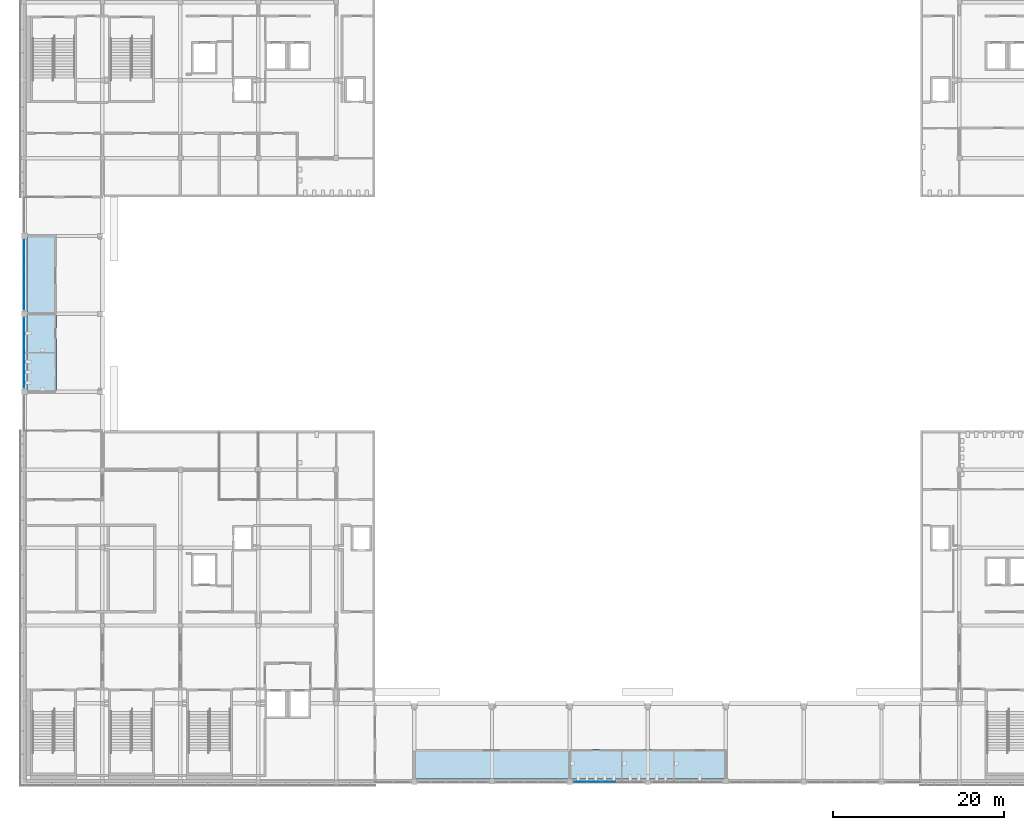
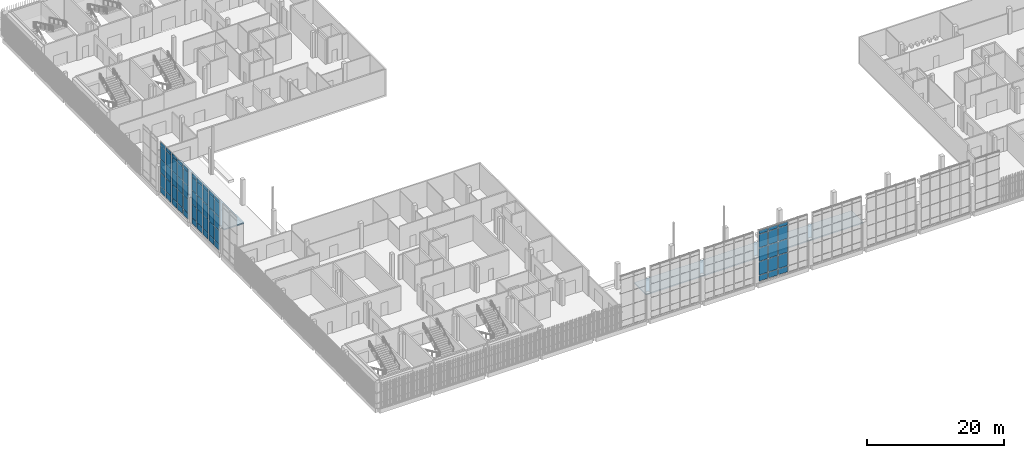
# One storey, part 31 of 91: 65 plates, 2 slabs, 3 elements without a shape of their own.
"""IFC4 building model written with IfcOpenShell, lengths in metres."""

from ifc_helpers import new_model, si_unit, direction, frame, origin, origin_2d, place, context, subcontext, project, spatial, polyline, rectangle, outline, extrude, material, layer, layer_set, type_object, element, aggregate, save


model = new_model("IFC4")

# Units and contexts
model_context = context("Model", 3, precision=1e-05, world=origin(), true_north=direction((0.0, 1.0)))
body_context = subcontext(model_context, "Body", "Model", "MODEL_VIEW")
ifc_project = project(units=[si_unit("LENGTHUNIT", "METRE"), si_unit("AREAUNIT", "SQUARE_METRE"), si_unit("VOLUMEUNIT", "CUBIC_METRE"), si_unit("PLANEANGLEUNIT", "RADIAN"), si_unit("MASSUNIT", "GRAM", prefix="KILO")], contexts=[model_context])

# Site, building, storey
site_placement = place(None, origin())
site = spatial("IfcSite", under=ifc_project, at=site_placement, CompositionType="ELEMENT")
building_placement = place(site_placement, origin())
building = spatial("IfcBuilding", under=site, at=building_placement, Name="Shirokan Park Arena", CompositionType="ELEMENT")
storey_placement = place(building_placement, frame((0.0, 0.0, 24.570068359375)))
storey = spatial("IfcBuildingStorey", under=building, at=storey_placement, Name="L05", CompositionType="ELEMENT", Elevation=24.570068359375)

# Curtain wall, plates
ifc_material_1 = material(Name="Steel and glass curtain wall", Category="steel")
ifc_layer_1 = layer(ifc_material_1, 0.199951171875)
ifc_layer_set_1 = layer_set([ifc_layer_1], Name="Steel and glass curtain wall 200 mm")
curtain_wall_type = type_object("IfcCurtainWallType", Name="Curtain wall hall bay 200", PredefinedType="NOTDEFINED", material=ifc_layer_set_1)
curtain_wall_1_placement = place(storey_placement, origin())
curtain_wall_1 = element("IfcCurtainWall", 1, at=curtain_wall_1_placement, inside=storey, type_object=curtain_wall_type, Name="Curtain wall south bay 8 L05", PredefinedType="NOTDEFINED")
ifc_material_2 = material(Name="Toughened glass", Category="glass")
ifc_layer_2 = layer(ifc_material_2, 0.012939453125, Name="Toughened glass")
ifc_material_3 = material(Name="Interlayer film")
ifc_layer_3 = layer(ifc_material_3, 0.001953125, Name="Interlayer film")
ifc_layer_4 = layer(ifc_material_2, 0.012939453125, Name="Toughened glass")
ifc_layer_set_2 = layer_set([ifc_layer_2, ifc_layer_3, ifc_layer_4], Name="Toughened glass + Interlayer film")
plate_type_1 = type_object("IfcPlateType", Name="Laminated glass panel 28", PredefinedType="CURTAIN_PANEL", material=ifc_layer_set_2)
plate_1_placement = place(storey_placement, frame((64.919921875, -0.050048828125, 1.1201171875), z_axis=(0.0, 0.0, 1.0), x_axis=(1.0, 0.0, 0.0)))
plate_1 = element("IfcPlate", 2, at=plate_1_placement, type_object=plate_type_1, Name="CW5 panel 1.2", PredefinedType="CURTAIN_PANEL", context=body_context, shape_type="SweptSolid", body=[
    extrude(rectangle(XDim=1.389892578125, YDim=0.028076171875, at=origin_2d()), origin(), (0.0, 0.0, 1.0), 2.393310546875),
])
plate_2_placement = place(storey_placement, frame((64.919921875, -0.050048828125, 3.55322265625), z_axis=(0.0, 0.0, 1.0), x_axis=(1.0, 0.0, 0.0)))
plate_2 = element("IfcPlate", 3, at=plate_2_placement, type_object=plate_type_1, Name="CW5 panel 1.3", PredefinedType="CURTAIN_PANEL", context=body_context, shape_type="SweptSolid", body=[
    extrude(rectangle(XDim=1.389892578125, YDim=0.028076171875, at=origin_2d()), origin(), (0.0, 0.0, 1.0), 2.393310546875),
])
plate_3_placement = place(storey_placement, frame((64.919921875, -0.050048828125, 5.98681640625), z_axis=(0.0, 0.0, 1.0), x_axis=(1.0, 0.0, 0.0)))
plate_3 = element("IfcPlate", 4, at=plate_3_placement, type_object=plate_type_1, Name="CW5 panel 1.4", PredefinedType="CURTAIN_PANEL", context=body_context, shape_type="SweptSolid", body=[
    extrude(rectangle(XDim=1.389892578125, YDim=0.028076171875, at=origin_2d()), origin(), (0.0, 0.0, 1.0), 2.393310546875),
])
plate_4_placement = place(storey_placement, frame((64.919921875, -0.050048828125, 8.419921875), z_axis=(0.0, 0.0, 1.0), x_axis=(1.0, 0.0, 0.0)))
plate_4 = element("IfcPlate", 5, at=plate_4_placement, type_object=plate_type_1, Name="CW5 panel 1.5", PredefinedType="CURTAIN_PANEL", context=body_context, shape_type="SweptSolid", body=[
    extrude(rectangle(XDim=1.389892578125, YDim=0.028076171875, at=origin_2d()), origin(), (0.0, 0.0, 1.0), 0.590087890625),
])
plate_5_placement = place(storey_placement, frame((66.56005859375, -0.050048828125, 1.1201171875), z_axis=(0.0, 0.0, 1.0), x_axis=(1.0, 0.0, 0.0)))
plate_5 = element("IfcPlate", 6, at=plate_5_placement, type_object=plate_type_1, Name="CW5 panel 2.2", PredefinedType="CURTAIN_PANEL", context=body_context, shape_type="SweptSolid", body=[
    extrude(rectangle(XDim=1.489990234375, YDim=0.028076171875, at=origin_2d()), origin(), (0.0, 0.0, 1.0), 2.393310546875),
])
plate_6_placement = place(storey_placement, frame((66.56005859375, -0.050048828125, 3.55322265625), z_axis=(0.0, 0.0, 1.0), x_axis=(1.0, 0.0, 0.0)))
plate_6 = element("IfcPlate", 7, at=plate_6_placement, type_object=plate_type_1, Name="CW5 panel 2.3", PredefinedType="CURTAIN_PANEL", context=body_context, shape_type="SweptSolid", body=[
    extrude(rectangle(XDim=1.489990234375, YDim=0.028076171875, at=origin_2d()), origin(), (0.0, 0.0, 1.0), 2.393310546875),
])
plate_7_placement = place(storey_placement, frame((66.56005859375, -0.050048828125, 5.98681640625), z_axis=(0.0, 0.0, 1.0), x_axis=(1.0, 0.0, 0.0)))
plate_7 = element("IfcPlate", 8, at=plate_7_placement, type_object=plate_type_1, Name="CW5 panel 2.4", PredefinedType="CURTAIN_PANEL", context=body_context, shape_type="SweptSolid", body=[
    extrude(rectangle(XDim=1.489990234375, YDim=0.028076171875, at=origin_2d()), origin(), (0.0, 0.0, 1.0), 2.393310546875),
])
plate_8_placement = place(storey_placement, frame((66.56005859375, -0.050048828125, 8.419921875), z_axis=(0.0, 0.0, 1.0), x_axis=(1.0, 0.0, 0.0)))
plate_8 = element("IfcPlate", 9, at=plate_8_placement, type_object=plate_type_1, Name="CW5 panel 2.5", PredefinedType="CURTAIN_PANEL", context=body_context, shape_type="SweptSolid", body=[
    extrude(rectangle(XDim=1.489990234375, YDim=0.028076171875, at=origin_2d()), origin(), (0.0, 0.0, 1.0), 0.590087890625),
])
plate_9_placement = place(storey_placement, frame((68.25, -0.050048828125, 1.1201171875), z_axis=(0.0, 0.0, 1.0), x_axis=(1.0, 0.0, 0.0)))
plate_9 = element("IfcPlate", 10, at=plate_9_placement, type_object=plate_type_1, Name="CW5 panel 3.2", PredefinedType="CURTAIN_PANEL", context=body_context, shape_type="SweptSolid", body=[
    extrude(rectangle(XDim=1.489990234375, YDim=0.028076171875, at=origin_2d()), origin(), (0.0, 0.0, 1.0), 2.393310546875),
])
plate_10_placement = place(storey_placement, frame((68.25, -0.050048828125, 3.55322265625), z_axis=(0.0, 0.0, 1.0), x_axis=(1.0, 0.0, 0.0)))
plate_10 = element("IfcPlate", 11, at=plate_10_placement, type_object=plate_type_1, Name="CW5 panel 3.3", PredefinedType="CURTAIN_PANEL", context=body_context, shape_type="SweptSolid", body=[
    extrude(rectangle(XDim=1.489990234375, YDim=0.028076171875, at=origin_2d()), origin(), (0.0, 0.0, 1.0), 2.393310546875),
])
plate_11_placement = place(storey_placement, frame((68.25, -0.050048828125, 5.98681640625), z_axis=(0.0, 0.0, 1.0), x_axis=(1.0, 0.0, 0.0)))
plate_11 = element("IfcPlate", 12, at=plate_11_placement, type_object=plate_type_1, Name="CW5 panel 3.4", PredefinedType="CURTAIN_PANEL", context=body_context, shape_type="SweptSolid", body=[
    extrude(rectangle(XDim=1.489990234375, YDim=0.028076171875, at=origin_2d()), origin(), (0.0, 0.0, 1.0), 2.393310546875),
])
plate_12_placement = place(storey_placement, frame((68.25, -0.050048828125, 8.419921875), z_axis=(0.0, 0.0, 1.0), x_axis=(1.0, 0.0, 0.0)))
plate_12 = element("IfcPlate", 13, at=plate_12_placement, type_object=plate_type_1, Name="CW5 panel 3.5", PredefinedType="CURTAIN_PANEL", context=body_context, shape_type="SweptSolid", body=[
    extrude(rectangle(XDim=1.489990234375, YDim=0.028076171875, at=origin_2d()), origin(), (0.0, 0.0, 1.0), 0.590087890625),
])

curtain_wall_2_placement = place(storey_placement, origin())
curtain_wall_2 = element("IfcCurtainWall", 14, at=curtain_wall_2_placement, inside=storey, type_object=curtain_wall_type, Name="Curtain wall west bay 6 L05", PredefinedType="NOTDEFINED")
plate_13_placement = place(storey_placement, frame((-0.050048828125, 62.47998046875, 1.1201171875), z_axis=(0.0, 0.0, 1.0), x_axis=(0.0, -1.0, 0.0)))
plate_13 = element("IfcPlate", 15, at=plate_13_placement, type_object=plate_type_1, Name="CW5 panel 1.2", PredefinedType="CURTAIN_PANEL", context=body_context, shape_type="SweptSolid", body=[
    extrude(rectangle(XDim=1.389892578125, YDim=0.028076171875, at=origin_2d()), origin(), (0.0, 0.0, 1.0), 2.393310546875),
])
plate_14_placement = place(storey_placement, frame((-0.050048828125, 62.47998046875, 3.55322265625), z_axis=(0.0, 0.0, 1.0), x_axis=(0.0, -1.0, 0.0)))
plate_14 = element("IfcPlate", 16, at=plate_14_placement, type_object=plate_type_1, Name="CW5 panel 1.3", PredefinedType="CURTAIN_PANEL", context=body_context, shape_type="SweptSolid", body=[
    extrude(rectangle(XDim=1.389892578125, YDim=0.028076171875, at=origin_2d()), origin(), (0.0, 0.0, 1.0), 2.393310546875),
])
plate_15_placement = place(storey_placement, frame((-0.050048828125, 62.47998046875, 5.98681640625), z_axis=(0.0, 0.0, 1.0), x_axis=(0.0, -1.0, 0.0)))
plate_15 = element("IfcPlate", 17, at=plate_15_placement, type_object=plate_type_1, Name="CW5 panel 1.4", PredefinedType="CURTAIN_PANEL", context=body_context, shape_type="SweptSolid", body=[
    extrude(rectangle(XDim=1.389892578125, YDim=0.028076171875, at=origin_2d()), origin(), (0.0, 0.0, 1.0), 2.393310546875),
])
plate_16_placement = place(storey_placement, frame((-0.050048828125, 62.47998046875, 8.419921875), z_axis=(0.0, 0.0, 1.0), x_axis=(0.0, -1.0, 0.0)))
plate_16 = element("IfcPlate", 18, at=plate_16_placement, type_object=plate_type_1, Name="CW5 panel 1.5", PredefinedType="CURTAIN_PANEL", context=body_context, shape_type="SweptSolid", body=[
    extrude(rectangle(XDim=1.389892578125, YDim=0.028076171875, at=origin_2d()), origin(), (0.0, 0.0, 1.0), 0.590087890625),
])
plate_17_placement = place(storey_placement, frame((-0.050048828125, 60.840087890625, 1.1201171875), z_axis=(0.0, 0.0, 1.0), x_axis=(0.0, -1.0, 0.0)))
plate_17 = element("IfcPlate", 19, at=plate_17_placement, type_object=plate_type_1, Name="CW5 panel 2.2", PredefinedType="CURTAIN_PANEL", context=body_context, shape_type="SweptSolid", body=[
    extrude(rectangle(XDim=1.489990234375, YDim=0.028076171875, at=origin_2d()), origin(), (0.0, 0.0, 1.0), 2.393310546875),
])
plate_18_placement = place(storey_placement, frame((-0.050048828125, 60.840087890625, 3.55322265625), z_axis=(0.0, 0.0, 1.0), x_axis=(0.0, -1.0, 0.0)))
plate_18 = element("IfcPlate", 20, at=plate_18_placement, type_object=plate_type_1, Name="CW5 panel 2.3", PredefinedType="CURTAIN_PANEL", context=body_context, shape_type="SweptSolid", body=[
    extrude(rectangle(XDim=1.489990234375, YDim=0.028076171875, at=origin_2d()), origin(), (0.0, 0.0, 1.0), 2.393310546875),
])
plate_19_placement = place(storey_placement, frame((-0.050048828125, 60.840087890625, 5.98681640625), z_axis=(0.0, 0.0, 1.0), x_axis=(0.0, -1.0, 0.0)))
plate_19 = element("IfcPlate", 21, at=plate_19_placement, type_object=plate_type_1, Name="CW5 panel 2.4", PredefinedType="CURTAIN_PANEL", context=body_context, shape_type="SweptSolid", body=[
    extrude(rectangle(XDim=1.489990234375, YDim=0.028076171875, at=origin_2d()), origin(), (0.0, 0.0, 1.0), 2.393310546875),
])
plate_20_placement = place(storey_placement, frame((-0.050048828125, 60.840087890625, 8.419921875), z_axis=(0.0, 0.0, 1.0), x_axis=(0.0, -1.0, 0.0)))
plate_20 = element("IfcPlate", 22, at=plate_20_placement, type_object=plate_type_1, Name="CW5 panel 2.5", PredefinedType="CURTAIN_PANEL", context=body_context, shape_type="SweptSolid", body=[
    extrude(rectangle(XDim=1.489990234375, YDim=0.028076171875, at=origin_2d()), origin(), (0.0, 0.0, 1.0), 0.590087890625),
])
plate_21_placement = place(storey_placement, frame((-0.050048828125, 59.14990234375, 1.1201171875), z_axis=(0.0, 0.0, 1.0), x_axis=(0.0, -1.0, 0.0)))
plate_21 = element("IfcPlate", 23, at=plate_21_placement, type_object=plate_type_1, Name="CW5 panel 3.2", PredefinedType="CURTAIN_PANEL", context=body_context, shape_type="SweptSolid", body=[
    extrude(rectangle(XDim=1.489990234375, YDim=0.028076171875, at=origin_2d()), origin(), (0.0, 0.0, 1.0), 2.393310546875),
])
plate_22_placement = place(storey_placement, frame((-0.050048828125, 59.14990234375, 3.55322265625), z_axis=(0.0, 0.0, 1.0), x_axis=(0.0, -1.0, 0.0)))
plate_22 = element("IfcPlate", 24, at=plate_22_placement, type_object=plate_type_1, Name="CW5 panel 3.3", PredefinedType="CURTAIN_PANEL", context=body_context, shape_type="SweptSolid", body=[
    extrude(rectangle(XDim=1.489990234375, YDim=0.028076171875, at=origin_2d()), origin(), (0.0, 0.0, 1.0), 2.393310546875),
])
plate_23_placement = place(storey_placement, frame((-0.050048828125, 59.14990234375, 5.98681640625), z_axis=(0.0, 0.0, 1.0), x_axis=(0.0, -1.0, 0.0)))
plate_23 = element("IfcPlate", 25, at=plate_23_placement, type_object=plate_type_1, Name="CW5 panel 3.4", PredefinedType="CURTAIN_PANEL", context=body_context, shape_type="SweptSolid", body=[
    extrude(rectangle(XDim=1.489990234375, YDim=0.028076171875, at=origin_2d()), origin(), (0.0, 0.0, 1.0), 2.393310546875),
])
plate_24_placement = place(storey_placement, frame((-0.050048828125, 59.14990234375, 8.419921875), z_axis=(0.0, 0.0, 1.0), x_axis=(0.0, -1.0, 0.0)))
plate_24 = element("IfcPlate", 26, at=plate_24_placement, type_object=plate_type_1, Name="CW5 panel 3.5", PredefinedType="CURTAIN_PANEL", context=body_context, shape_type="SweptSolid", body=[
    extrude(rectangle(XDim=1.489990234375, YDim=0.028076171875, at=origin_2d()), origin(), (0.0, 0.0, 1.0), 0.590087890625),
])
plate_25_placement = place(storey_placement, frame((-0.050048828125, 57.4599609375, 1.1201171875), z_axis=(0.0, 0.0, 1.0), x_axis=(0.0, -1.0, 0.0)))
plate_25 = element("IfcPlate", 27, at=plate_25_placement, type_object=plate_type_1, Name="CW5 panel 4.2", PredefinedType="CURTAIN_PANEL", context=body_context, shape_type="SweptSolid", body=[
    extrude(rectangle(XDim=1.489990234375, YDim=0.028076171875, at=origin_2d()), origin(), (0.0, 0.0, 1.0), 2.393310546875),
])
plate_26_placement = place(storey_placement, frame((-0.050048828125, 57.4599609375, 3.55322265625), z_axis=(0.0, 0.0, 1.0), x_axis=(0.0, -1.0, 0.0)))
plate_26 = element("IfcPlate", 28, at=plate_26_placement, type_object=plate_type_1, Name="CW5 panel 4.3", PredefinedType="CURTAIN_PANEL", context=body_context, shape_type="SweptSolid", body=[
    extrude(rectangle(XDim=1.489990234375, YDim=0.028076171875, at=origin_2d()), origin(), (0.0, 0.0, 1.0), 2.393310546875),
])
plate_27_placement = place(storey_placement, frame((-0.050048828125, 57.4599609375, 5.98681640625), z_axis=(0.0, 0.0, 1.0), x_axis=(0.0, -1.0, 0.0)))
plate_27 = element("IfcPlate", 29, at=plate_27_placement, type_object=plate_type_1, Name="CW5 panel 4.4", PredefinedType="CURTAIN_PANEL", context=body_context, shape_type="SweptSolid", body=[
    extrude(rectangle(XDim=1.489990234375, YDim=0.028076171875, at=origin_2d()), origin(), (0.0, 0.0, 1.0), 2.393310546875),
])
plate_28_placement = place(storey_placement, frame((-0.050048828125, 57.4599609375, 8.419921875), z_axis=(0.0, 0.0, 1.0), x_axis=(0.0, -1.0, 0.0)))
plate_28 = element("IfcPlate", 30, at=plate_28_placement, type_object=plate_type_1, Name="CW5 panel 4.5", PredefinedType="CURTAIN_PANEL", context=body_context, shape_type="SweptSolid", body=[
    extrude(rectangle(XDim=1.489990234375, YDim=0.028076171875, at=origin_2d()), origin(), (0.0, 0.0, 1.0), 0.590087890625),
])
plate_29_placement = place(storey_placement, frame((-0.050048828125, 55.820068359375, 1.1201171875), z_axis=(0.0, 0.0, 1.0), x_axis=(0.0, -1.0, 0.0)))
plate_29 = element("IfcPlate", 31, at=plate_29_placement, type_object=plate_type_1, Name="CW5 panel 5.2", PredefinedType="CURTAIN_PANEL", context=body_context, shape_type="SweptSolid", body=[
    extrude(rectangle(XDim=1.389892578125, YDim=0.028076171875, at=origin_2d()), origin(), (0.0, 0.0, 1.0), 2.393310546875),
])
plate_30_placement = place(storey_placement, frame((-0.050048828125, 55.820068359375, 3.55322265625), z_axis=(0.0, 0.0, 1.0), x_axis=(0.0, -1.0, 0.0)))
plate_30 = element("IfcPlate", 32, at=plate_30_placement, type_object=plate_type_1, Name="CW5 panel 5.3", PredefinedType="CURTAIN_PANEL", context=body_context, shape_type="SweptSolid", body=[
    extrude(rectangle(XDim=1.389892578125, YDim=0.028076171875, at=origin_2d()), origin(), (0.0, 0.0, 1.0), 2.393310546875),
])
plate_31_placement = place(storey_placement, frame((-0.050048828125, 55.820068359375, 5.98681640625), z_axis=(0.0, 0.0, 1.0), x_axis=(0.0, -1.0, 0.0)))
plate_31 = element("IfcPlate", 33, at=plate_31_placement, type_object=plate_type_1, Name="CW5 panel 5.4", PredefinedType="CURTAIN_PANEL", context=body_context, shape_type="SweptSolid", body=[
    extrude(rectangle(XDim=1.389892578125, YDim=0.028076171875, at=origin_2d()), origin(), (0.0, 0.0, 1.0), 2.393310546875),
])
plate_32_placement = place(storey_placement, frame((-0.050048828125, 55.820068359375, 8.419921875), z_axis=(0.0, 0.0, 1.0), x_axis=(0.0, -1.0, 0.0)))
plate_32 = element("IfcPlate", 34, at=plate_32_placement, type_object=plate_type_1, Name="CW5 panel 5.5", PredefinedType="CURTAIN_PANEL", context=body_context, shape_type="SweptSolid", body=[
    extrude(rectangle(XDim=1.389892578125, YDim=0.028076171875, at=origin_2d()), origin(), (0.0, 0.0, 1.0), 0.590087890625),
])

curtain_wall_3_placement = place(storey_placement, origin())
curtain_wall_3 = element("IfcCurtainWall", 35, at=curtain_wall_3_placement, inside=storey, type_object=curtain_wall_type, Name="Curtain wall west bay 7 L05", PredefinedType="NOTDEFINED")
plate_33_placement = place(storey_placement, frame((-0.050048828125, 53.3798828125, 1.1201171875), z_axis=(0.0, 0.0, 1.0), x_axis=(0.0, -1.0, 0.0)))
plate_33 = element("IfcPlate", 36, at=plate_33_placement, type_object=plate_type_1, Name="CW5 panel 1.2", PredefinedType="CURTAIN_PANEL", context=body_context, shape_type="SweptSolid", body=[
    extrude(rectangle(XDim=1.389892578125, YDim=0.028076171875, at=origin_2d()), origin(), (0.0, 0.0, 1.0), 2.393310546875),
])
plate_34_placement = place(storey_placement, frame((-0.050048828125, 53.3798828125, 3.55322265625), z_axis=(0.0, 0.0, 1.0), x_axis=(0.0, -1.0, 0.0)))
plate_34 = element("IfcPlate", 37, at=plate_34_placement, type_object=plate_type_1, Name="CW5 panel 1.3", PredefinedType="CURTAIN_PANEL", context=body_context, shape_type="SweptSolid", body=[
    extrude(rectangle(XDim=1.389892578125, YDim=0.028076171875, at=origin_2d()), origin(), (0.0, 0.0, 1.0), 2.393310546875),
])
plate_35_placement = place(storey_placement, frame((-0.050048828125, 53.3798828125, 5.98681640625), z_axis=(0.0, 0.0, 1.0), x_axis=(0.0, -1.0, 0.0)))
plate_35 = element("IfcPlate", 38, at=plate_35_placement, type_object=plate_type_1, Name="CW5 panel 1.4", PredefinedType="CURTAIN_PANEL", context=body_context, shape_type="SweptSolid", body=[
    extrude(rectangle(XDim=1.389892578125, YDim=0.028076171875, at=origin_2d()), origin(), (0.0, 0.0, 1.0), 2.393310546875),
])
plate_36_placement = place(storey_placement, frame((-0.050048828125, 53.3798828125, 8.419921875), z_axis=(0.0, 0.0, 1.0), x_axis=(0.0, -1.0, 0.0)))
plate_36 = element("IfcPlate", 39, at=plate_36_placement, type_object=plate_type_1, Name="CW5 panel 1.5", PredefinedType="CURTAIN_PANEL", context=body_context, shape_type="SweptSolid", body=[
    extrude(rectangle(XDim=1.389892578125, YDim=0.028076171875, at=origin_2d()), origin(), (0.0, 0.0, 1.0), 0.590087890625),
])
plate_37_placement = place(storey_placement, frame((-0.050048828125, 51.739990234375, 1.1201171875), z_axis=(0.0, 0.0, 1.0), x_axis=(0.0, -1.0, 0.0)))
plate_37 = element("IfcPlate", 40, at=plate_37_placement, type_object=plate_type_1, Name="CW5 panel 2.2", PredefinedType="CURTAIN_PANEL", context=body_context, shape_type="SweptSolid", body=[
    extrude(rectangle(XDim=1.489990234375, YDim=0.028076171875, at=origin_2d()), origin(), (0.0, 0.0, 1.0), 2.393310546875),
])
plate_38_placement = place(storey_placement, frame((-0.050048828125, 51.739990234375, 3.55322265625), z_axis=(0.0, 0.0, 1.0), x_axis=(0.0, -1.0, 0.0)))
plate_38 = element("IfcPlate", 41, at=plate_38_placement, type_object=plate_type_1, Name="CW5 panel 2.3", PredefinedType="CURTAIN_PANEL", context=body_context, shape_type="SweptSolid", body=[
    extrude(rectangle(XDim=1.489990234375, YDim=0.028076171875, at=origin_2d()), origin(), (0.0, 0.0, 1.0), 2.393310546875),
])
plate_39_placement = place(storey_placement, frame((-0.050048828125, 51.739990234375, 5.98681640625), z_axis=(0.0, 0.0, 1.0), x_axis=(0.0, -1.0, 0.0)))
plate_39 = element("IfcPlate", 42, at=plate_39_placement, type_object=plate_type_1, Name="CW5 panel 2.4", PredefinedType="CURTAIN_PANEL", context=body_context, shape_type="SweptSolid", body=[
    extrude(rectangle(XDim=1.489990234375, YDim=0.028076171875, at=origin_2d()), origin(), (0.0, 0.0, 1.0), 2.393310546875),
])
plate_40_placement = place(storey_placement, frame((-0.050048828125, 51.739990234375, 8.419921875), z_axis=(0.0, 0.0, 1.0), x_axis=(0.0, -1.0, 0.0)))
plate_40 = element("IfcPlate", 43, at=plate_40_placement, type_object=plate_type_1, Name="CW5 panel 2.5", PredefinedType="CURTAIN_PANEL", context=body_context, shape_type="SweptSolid", body=[
    extrude(rectangle(XDim=1.489990234375, YDim=0.028076171875, at=origin_2d()), origin(), (0.0, 0.0, 1.0), 0.590087890625),
])
plate_41_placement = place(storey_placement, frame((-0.050048828125, 50.050048828125, 1.1201171875), z_axis=(0.0, 0.0, 1.0), x_axis=(0.0, -1.0, 0.0)))
plate_41 = element("IfcPlate", 44, at=plate_41_placement, type_object=plate_type_1, Name="CW5 panel 3.2", PredefinedType="CURTAIN_PANEL", context=body_context, shape_type="SweptSolid", body=[
    extrude(rectangle(XDim=1.489990234375, YDim=0.028076171875, at=origin_2d()), origin(), (0.0, 0.0, 1.0), 2.393310546875),
])
plate_42_placement = place(storey_placement, frame((-0.050048828125, 50.050048828125, 3.55322265625), z_axis=(0.0, 0.0, 1.0), x_axis=(0.0, -1.0, 0.0)))
plate_42 = element("IfcPlate", 45, at=plate_42_placement, type_object=plate_type_1, Name="CW5 panel 3.3", PredefinedType="CURTAIN_PANEL", context=body_context, shape_type="SweptSolid", body=[
    extrude(rectangle(XDim=1.489990234375, YDim=0.028076171875, at=origin_2d()), origin(), (0.0, 0.0, 1.0), 2.393310546875),
])
plate_43_placement = place(storey_placement, frame((-0.050048828125, 50.050048828125, 5.98681640625), z_axis=(0.0, 0.0, 1.0), x_axis=(0.0, -1.0, 0.0)))
plate_43 = element("IfcPlate", 46, at=plate_43_placement, type_object=plate_type_1, Name="CW5 panel 3.4", PredefinedType="CURTAIN_PANEL", context=body_context, shape_type="SweptSolid", body=[
    extrude(rectangle(XDim=1.489990234375, YDim=0.028076171875, at=origin_2d()), origin(), (0.0, 0.0, 1.0), 2.393310546875),
])
plate_44_placement = place(storey_placement, frame((-0.050048828125, 50.050048828125, 8.419921875), z_axis=(0.0, 0.0, 1.0), x_axis=(0.0, -1.0, 0.0)))
plate_44 = element("IfcPlate", 47, at=plate_44_placement, type_object=plate_type_1, Name="CW5 panel 3.5", PredefinedType="CURTAIN_PANEL", context=body_context, shape_type="SweptSolid", body=[
    extrude(rectangle(XDim=1.489990234375, YDim=0.028076171875, at=origin_2d()), origin(), (0.0, 0.0, 1.0), 0.590087890625),
])
plate_45_placement = place(storey_placement, frame((-0.050048828125, 48.360107421875, 1.1201171875), z_axis=(0.0, 0.0, 1.0), x_axis=(0.0, -1.0, 0.0)))
plate_45 = element("IfcPlate", 48, at=plate_45_placement, type_object=plate_type_1, Name="CW5 panel 4.2", PredefinedType="CURTAIN_PANEL", context=body_context, shape_type="SweptSolid", body=[
    extrude(rectangle(XDim=1.489990234375, YDim=0.028076171875, at=origin_2d()), origin(), (0.0, 0.0, 1.0), 2.393310546875),
])
plate_46_placement = place(storey_placement, frame((-0.050048828125, 48.360107421875, 3.55322265625), z_axis=(0.0, 0.0, 1.0), x_axis=(0.0, -1.0, 0.0)))
plate_46 = element("IfcPlate", 49, at=plate_46_placement, type_object=plate_type_1, Name="CW5 panel 4.3", PredefinedType="CURTAIN_PANEL", context=body_context, shape_type="SweptSolid", body=[
    extrude(rectangle(XDim=1.489990234375, YDim=0.028076171875, at=origin_2d()), origin(), (0.0, 0.0, 1.0), 2.393310546875),
])
plate_47_placement = place(storey_placement, frame((-0.050048828125, 48.360107421875, 5.98681640625), z_axis=(0.0, 0.0, 1.0), x_axis=(0.0, -1.0, 0.0)))
plate_47 = element("IfcPlate", 50, at=plate_47_placement, type_object=plate_type_1, Name="CW5 panel 4.4", PredefinedType="CURTAIN_PANEL", context=body_context, shape_type="SweptSolid", body=[
    extrude(rectangle(XDim=1.489990234375, YDim=0.028076171875, at=origin_2d()), origin(), (0.0, 0.0, 1.0), 2.393310546875),
])
plate_48_placement = place(storey_placement, frame((-0.050048828125, 48.360107421875, 8.419921875), z_axis=(0.0, 0.0, 1.0), x_axis=(0.0, -1.0, 0.0)))
plate_48 = element("IfcPlate", 51, at=plate_48_placement, type_object=plate_type_1, Name="CW5 panel 4.5", PredefinedType="CURTAIN_PANEL", context=body_context, shape_type="SweptSolid", body=[
    extrude(rectangle(XDim=1.489990234375, YDim=0.028076171875, at=origin_2d()), origin(), (0.0, 0.0, 1.0), 0.590087890625),
])
plate_49_placement = place(storey_placement, frame((-0.050048828125, 46.719970703125, 1.1201171875), z_axis=(0.0, 0.0, 1.0), x_axis=(0.0, -1.0, 0.0)))
plate_49 = element("IfcPlate", 52, at=plate_49_placement, type_object=plate_type_1, Name="CW5 panel 5.2", PredefinedType="CURTAIN_PANEL", context=body_context, shape_type="SweptSolid", body=[
    extrude(rectangle(XDim=1.389892578125, YDim=0.028076171875, at=origin_2d()), origin(), (0.0, 0.0, 1.0), 2.393310546875),
])
plate_50_placement = place(storey_placement, frame((-0.050048828125, 46.719970703125, 3.55322265625), z_axis=(0.0, 0.0, 1.0), x_axis=(0.0, -1.0, 0.0)))
plate_50 = element("IfcPlate", 53, at=plate_50_placement, type_object=plate_type_1, Name="CW5 panel 5.3", PredefinedType="CURTAIN_PANEL", context=body_context, shape_type="SweptSolid", body=[
    extrude(rectangle(XDim=1.389892578125, YDim=0.028076171875, at=origin_2d()), origin(), (0.0, 0.0, 1.0), 2.393310546875),
])
plate_51_placement = place(storey_placement, frame((-0.050048828125, 46.719970703125, 5.98681640625), z_axis=(0.0, 0.0, 1.0), x_axis=(0.0, -1.0, 0.0)))
plate_51 = element("IfcPlate", 54, at=plate_51_placement, type_object=plate_type_1, Name="CW5 panel 5.4", PredefinedType="CURTAIN_PANEL", context=body_context, shape_type="SweptSolid", body=[
    extrude(rectangle(XDim=1.389892578125, YDim=0.028076171875, at=origin_2d()), origin(), (0.0, 0.0, 1.0), 2.393310546875),
])
plate_52_placement = place(storey_placement, frame((-0.050048828125, 46.719970703125, 8.419921875), z_axis=(0.0, 0.0, 1.0), x_axis=(0.0, -1.0, 0.0)))
plate_52 = element("IfcPlate", 55, at=plate_52_placement, type_object=plate_type_1, Name="CW5 panel 5.5", PredefinedType="CURTAIN_PANEL", context=body_context, shape_type="SweptSolid", body=[
    extrude(rectangle(XDim=1.389892578125, YDim=0.028076171875, at=origin_2d()), origin(), (0.0, 0.0, 1.0), 0.590087890625),
])

# Plate
ifc_layer_5 = layer(ifc_material_2, 0.01708984375, Name="Toughened glass")
ifc_layer_6 = layer(ifc_material_3, 0.001953125, Name="Interlayer film")
ifc_layer_7 = layer(ifc_material_2, 0.01708984375, Name="Toughened glass")
ifc_layer_set_3 = layer_set([ifc_layer_5, ifc_layer_6, ifc_layer_7], Name="Toughened glass + Interlayer film")
plate_type_2 = type_object("IfcPlateType", Name="Laminated safety glass panel 36", PredefinedType="CURTAIN_PANEL", material=ifc_layer_set_3)
plate_53_placement = place(storey_placement, frame((64.919921875, -0.050048828125, 0.039794921875), z_axis=(0.0, 0.0, 1.0), x_axis=(1.0, 0.0, 0.0)))
plate_53 = element("IfcPlate", 56, at=plate_53_placement, type_object=plate_type_2, Name="CW5 panel 1.1", PredefinedType="CURTAIN_PANEL", context=body_context, shape_type="SweptSolid", body=[
    extrude(rectangle(XDim=1.389892578125, YDim=0.035888671875, at=origin_2d()), origin(), (0.0, 0.0, 1.0), 1.0400390625),
])

plate_54_placement = place(storey_placement, frame((66.56005859375, -0.050048828125, 0.039794921875), z_axis=(0.0, 0.0, 1.0), x_axis=(1.0, 0.0, 0.0)))
plate_54 = element("IfcPlate", 57, at=plate_54_placement, type_object=plate_type_2, Name="CW5 panel 2.1", PredefinedType="CURTAIN_PANEL", context=body_context, shape_type="SweptSolid", body=[
    extrude(rectangle(XDim=1.489990234375, YDim=0.035888671875, at=origin_2d()), origin(), (0.0, 0.0, 1.0), 1.0400390625),
])

plate_55_placement = place(storey_placement, frame((68.25, -0.050048828125, 0.039794921875), z_axis=(0.0, 0.0, 1.0), x_axis=(1.0, 0.0, 0.0)))
plate_55 = element("IfcPlate", 58, at=plate_55_placement, type_object=plate_type_2, Name="CW5 panel 3.1", PredefinedType="CURTAIN_PANEL", context=body_context, shape_type="SweptSolid", body=[
    extrude(rectangle(XDim=1.489990234375, YDim=0.035888671875, at=origin_2d()), origin(), (0.0, 0.0, 1.0), 1.0400390625),
])

aggregate(curtain_wall_1, [plate_53, plate_1, plate_2, plate_3, plate_4, plate_54, plate_5, plate_6, plate_7, plate_8, plate_55, plate_9, plate_10, plate_11, plate_12])

plate_56_placement = place(storey_placement, frame((-0.050048828125, 62.47998046875, 0.039794921875), z_axis=(0.0, 0.0, 1.0), x_axis=(0.0, -1.0, 0.0)))
plate_56 = element("IfcPlate", 59, at=plate_56_placement, type_object=plate_type_2, Name="CW5 panel 1.1", PredefinedType="CURTAIN_PANEL", context=body_context, shape_type="SweptSolid", body=[
    extrude(rectangle(XDim=1.389892578125, YDim=0.035888671875, at=origin_2d()), origin(), (0.0, 0.0, 1.0), 1.0400390625),
])

plate_57_placement = place(storey_placement, frame((-0.050048828125, 60.840087890625, 0.039794921875), z_axis=(0.0, 0.0, 1.0), x_axis=(0.0, -1.0, 0.0)))
plate_57 = element("IfcPlate", 60, at=plate_57_placement, type_object=plate_type_2, Name="CW5 panel 2.1", PredefinedType="CURTAIN_PANEL", context=body_context, shape_type="SweptSolid", body=[
    extrude(rectangle(XDim=1.489990234375, YDim=0.035888671875, at=origin_2d()), origin(), (0.0, 0.0, 1.0), 1.0400390625),
])

plate_58_placement = place(storey_placement, frame((-0.050048828125, 59.14990234375, 0.039794921875), z_axis=(0.0, 0.0, 1.0), x_axis=(0.0, -1.0, 0.0)))
plate_58 = element("IfcPlate", 61, at=plate_58_placement, type_object=plate_type_2, Name="CW5 panel 3.1", PredefinedType="CURTAIN_PANEL", context=body_context, shape_type="SweptSolid", body=[
    extrude(rectangle(XDim=1.489990234375, YDim=0.035888671875, at=origin_2d()), origin(), (0.0, 0.0, 1.0), 1.0400390625),
])

plate_59_placement = place(storey_placement, frame((-0.050048828125, 57.4599609375, 0.039794921875), z_axis=(0.0, 0.0, 1.0), x_axis=(0.0, -1.0, 0.0)))
plate_59 = element("IfcPlate", 62, at=plate_59_placement, type_object=plate_type_2, Name="CW5 panel 4.1", PredefinedType="CURTAIN_PANEL", context=body_context, shape_type="SweptSolid", body=[
    extrude(rectangle(XDim=1.489990234375, YDim=0.035888671875, at=origin_2d()), origin(), (0.0, 0.0, 1.0), 1.0400390625),
])

plate_60_placement = place(storey_placement, frame((-0.050048828125, 55.820068359375, 0.039794921875), z_axis=(0.0, 0.0, 1.0), x_axis=(0.0, -1.0, 0.0)))
plate_60 = element("IfcPlate", 63, at=plate_60_placement, type_object=plate_type_2, Name="CW5 panel 5.1", PredefinedType="CURTAIN_PANEL", context=body_context, shape_type="SweptSolid", body=[
    extrude(rectangle(XDim=1.389892578125, YDim=0.035888671875, at=origin_2d()), origin(), (0.0, 0.0, 1.0), 1.0400390625),
])

aggregate(curtain_wall_2, [plate_56, plate_13, plate_14, plate_15, plate_16, plate_57, plate_17, plate_18, plate_19, plate_20, plate_58, plate_21, plate_22, plate_23, plate_24, plate_59, plate_25, plate_26, plate_27, plate_28, plate_60, plate_29, plate_30, plate_31, plate_32])

plate_61_placement = place(storey_placement, frame((-0.050048828125, 53.3798828125, 0.039794921875), z_axis=(0.0, 0.0, 1.0), x_axis=(0.0, -1.0, 0.0)))
plate_61 = element("IfcPlate", 64, at=plate_61_placement, type_object=plate_type_2, Name="CW5 panel 1.1", PredefinedType="CURTAIN_PANEL", context=body_context, shape_type="SweptSolid", body=[
    extrude(rectangle(XDim=1.389892578125, YDim=0.035888671875, at=origin_2d()), origin(), (0.0, 0.0, 1.0), 1.0400390625),
])

plate_62_placement = place(storey_placement, frame((-0.050048828125, 51.739990234375, 0.039794921875), z_axis=(0.0, 0.0, 1.0), x_axis=(0.0, -1.0, 0.0)))
plate_62 = element("IfcPlate", 65, at=plate_62_placement, type_object=plate_type_2, Name="CW5 panel 2.1", PredefinedType="CURTAIN_PANEL", context=body_context, shape_type="SweptSolid", body=[
    extrude(rectangle(XDim=1.489990234375, YDim=0.035888671875, at=origin_2d()), origin(), (0.0, 0.0, 1.0), 1.0400390625),
])

plate_63_placement = place(storey_placement, frame((-0.050048828125, 50.050048828125, 0.039794921875), z_axis=(0.0, 0.0, 1.0), x_axis=(0.0, -1.0, 0.0)))
plate_63 = element("IfcPlate", 66, at=plate_63_placement, type_object=plate_type_2, Name="CW5 panel 3.1", PredefinedType="CURTAIN_PANEL", context=body_context, shape_type="SweptSolid", body=[
    extrude(rectangle(XDim=1.489990234375, YDim=0.035888671875, at=origin_2d()), origin(), (0.0, 0.0, 1.0), 1.0400390625),
])

plate_64_placement = place(storey_placement, frame((-0.050048828125, 48.360107421875, 0.039794921875), z_axis=(0.0, 0.0, 1.0), x_axis=(0.0, -1.0, 0.0)))
plate_64 = element("IfcPlate", 67, at=plate_64_placement, type_object=plate_type_2, Name="CW5 panel 4.1", PredefinedType="CURTAIN_PANEL", context=body_context, shape_type="SweptSolid", body=[
    extrude(rectangle(XDim=1.489990234375, YDim=0.035888671875, at=origin_2d()), origin(), (0.0, 0.0, 1.0), 1.0400390625),
])

plate_65_placement = place(storey_placement, frame((-0.050048828125, 46.719970703125, 0.039794921875), z_axis=(0.0, 0.0, 1.0), x_axis=(0.0, -1.0, 0.0)))
plate_65 = element("IfcPlate", 68, at=plate_65_placement, type_object=plate_type_2, Name="CW5 panel 5.1", PredefinedType="CURTAIN_PANEL", context=body_context, shape_type="SweptSolid", body=[
    extrude(rectangle(XDim=1.389892578125, YDim=0.035888671875, at=origin_2d()), origin(), (0.0, 0.0, 1.0), 1.0400390625),
])

aggregate(curtain_wall_3, [plate_61, plate_33, plate_34, plate_35, plate_36, plate_62, plate_37, plate_38, plate_39, plate_40, plate_63, plate_41, plate_42, plate_43, plate_44, plate_64, plate_45, plate_46, plate_47, plate_48, plate_65, plate_49, plate_50, plate_51, plate_52])

# Slabs
ifc_material_4 = material(Name="Concrete C35", Category="concrete")
ifc_layer_8 = layer(ifc_material_4, 0.199951171875)
ifc_layer_set_4 = layer_set([ifc_layer_8], Name="Concrete C35 200 mm")
slab_type = type_object("IfcSlabType", Name="Pavilion roof slab 200", PredefinedType="ROOF", material=ifc_layer_set_4)
slab_1_placement = place(storey_placement, frame((0.0, 0.0, 3.89990234375)))
element("IfcSlab", 69, at=slab_1_placement, inside=storey, type_object=slab_type, Name="Pavilion roof L05", PredefinedType="ROOF", context=body_context, shape_type="SweptSolid", body=[
    extrude(outline(polyline([(3.72509765625, 63.824951171875), (3.72509765625, 45.375), (0.324951171875, 45.375), (0.324951171875, 45.824951171875), (0.27490234375, 45.824951171875), (0.27490234375, 54.27490234375), (0.324951171875, 54.27490234375), (0.324951171875, 54.925048828125), (0.27490234375, 54.925048828125), (0.27490234375, 63.375), (0.324951171875, 63.375), (0.324951171875, 63.824951171875), (3.72509765625, 63.824951171875)])), origin(), (0.0, 0.0, 1.0), 0.199951171875),
])
slab_2_placement = place(storey_placement, frame((0.0, 0.0, 3.89990234375)))
element("IfcSlab", 70, at=slab_2_placement, inside=storey, type_object=slab_type, Name="Pavilion roof L05", PredefinedType="ROOF", context=body_context, shape_type="SweptSolid", body=[
    extrude(outline(polyline([(82.02490234375, 3.72509765625), (82.02490234375, 0.324951171875), (81.574951171875, 0.324951171875), (81.574951171875, 0.27490234375), (73.125, 0.27490234375), (73.125, 0.300048828125), (72.47509765625, 0.300048828125), (72.47509765625, 0.27490234375), (64.02490234375, 0.27490234375), (64.02490234375, 0.300048828125), (63.375, 0.300048828125), (63.375, 0.27490234375), (54.925048828125, 0.27490234375), (54.925048828125, 0.324951171875), (54.27490234375, 0.324951171875), (54.27490234375, 0.27490234375), (45.824951171875, 0.27490234375), (45.824951171875, 0.300048828125), (45.375, 0.300048828125), (45.375, 3.72509765625), (82.02490234375, 3.72509765625)])), origin(), (0.0, 0.0, 1.0), 0.199951171875),
])

save(model, "model.ifc")
